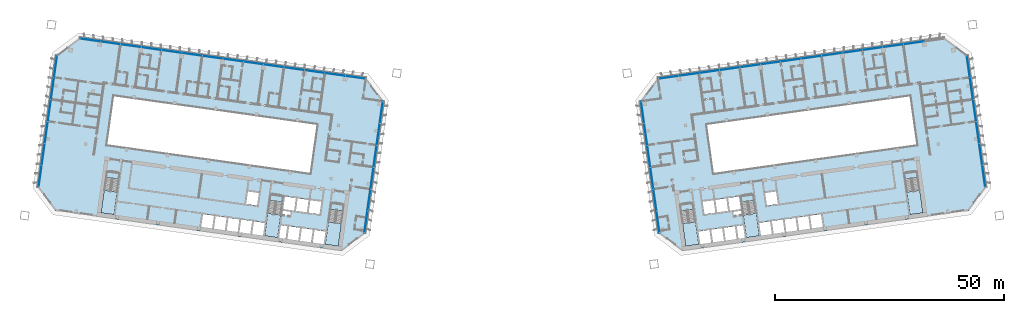
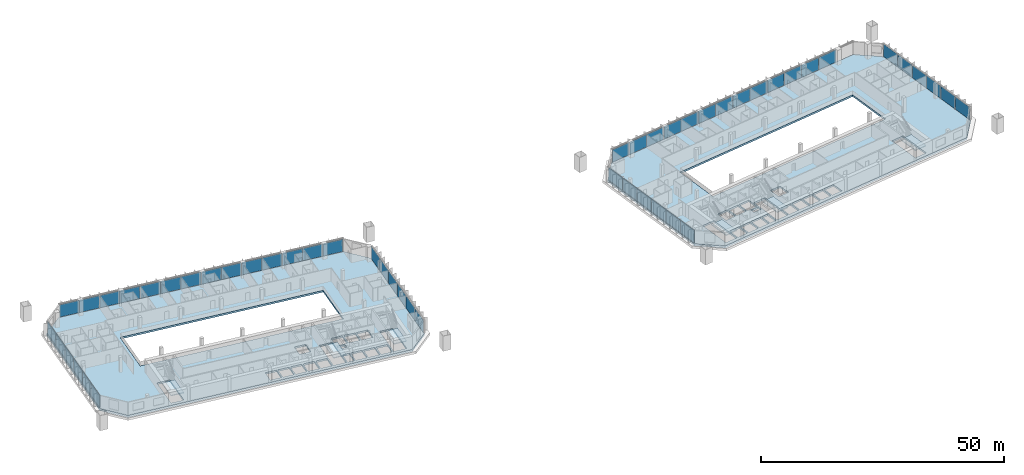
# One storey, part 12 of 25: 51 plates, 8 slabs, 12 elements without a shape of their own.
"""IFC4 building model written with IfcOpenShell, lengths in metres."""

from ifc_helpers import new_model, si_unit, direction, frame, origin, origin_2d, place, context, subcontext, project, spatial, polyline, rectangle, outline, extrude, material, layer, layer_set, type_object, element, aggregate, save


model = new_model("IFC4")

# Units and contexts
model_context = context("Model", 3, precision=1e-05, world=origin(), true_north=direction((0.0, 1.0)))
body_context = subcontext(model_context, "Body", "Model", "MODEL_VIEW")
ifc_project = project(units=[si_unit("LENGTHUNIT", "METRE"), si_unit("AREAUNIT", "SQUARE_METRE"), si_unit("VOLUMEUNIT", "CUBIC_METRE"), si_unit("PLANEANGLEUNIT", "RADIAN"), si_unit("MASSUNIT", "GRAM", prefix="KILO")], contexts=[model_context])

# Site, building, storey
site_placement = place(None, origin())
site = spatial("IfcSite", under=ifc_project, at=site_placement, CompositionType="ELEMENT")
building_placement = place(site_placement, origin())
building = spatial("IfcBuilding", under=site, at=building_placement, Name="Mirante Cascada Hotel Towers", CompositionType="ELEMENT")
storey_placement = place(building_placement, frame((0.0, 0.0, 62.3)))
storey = spatial("IfcBuildingStorey", under=building, at=storey_placement, Name="L12", CompositionType="ELEMENT", Elevation=62.3)

# Curtain wall, plates
ifc_material_1 = material(Name="Aluminium mullion and transom frame with clear laminated glass", Category="aluminium")
curtain_wall_type_1 = type_object("IfcCurtainWallType", Name="Ribbon curtain wall ECW1", PredefinedType="NOTDEFINED", material=ifc_material_1)
curtain_wall_1_placement = place(storey_placement, origin())
curtain_wall_1 = element("IfcCurtainWall", 1, at=curtain_wall_1_placement, inside=storey, type_object=curtain_wall_type_1, Name="Front ribbon wall T1 L12", PredefinedType="NOTDEFINED")
ifc_material_2 = material(Name="Clear laminated glass", Category="glass")
ifc_layer_1 = layer(ifc_material_2, 0.036)
ifc_layer_set_1 = layer_set([ifc_layer_1], Name="ECW1 glass panel 36")
plate_type_1 = type_object("IfcPlateType", Name="ECW1 glass panel 36", PredefinedType="CURTAIN_PANEL", material=ifc_layer_set_1)
plate_1_placement = place(storey_placement, frame((-91.9184, 25.7373, 0.1), z_axis=(0.0, 0.0, 1.0), x_axis=(0.9902681, -0.1391731, 0.0)))
plate_1 = element("IfcPlate", 2, at=plate_1_placement, type_object=plate_type_1, Name="ECW1 panel 1", PredefinedType="CURTAIN_PANEL", context=body_context, shape_type="SweptSolid", body=[
    extrude(rectangle(XDim=4.3936, YDim=0.036, at=origin_2d()), origin(), (0.0, 0.0, 1.0), 3.15),
])
plate_2_placement = place(storey_placement, frame((-87.487, 25.1145, 0.1), z_axis=(0.0, 0.0, 1.0), x_axis=(0.9902681, -0.1391731, 0.0)))
plate_2 = element("IfcPlate", 3, at=plate_2_placement, type_object=plate_type_1, Name="ECW1 panel 2", PredefinedType="CURTAIN_PANEL", context=body_context, shape_type="SweptSolid", body=[
    extrude(rectangle(XDim=4.4261, YDim=0.036, at=origin_2d()), origin(), (0.0, 0.0, 1.0), 3.15),
])
plate_3_placement = place(storey_placement, frame((-83.0396, 24.4895, 0.1), z_axis=(0.0, 0.0, 1.0), x_axis=(0.9902681, -0.1391731, 0.0)))
plate_3 = element("IfcPlate", 4, at=plate_3_placement, type_object=plate_type_1, Name="ECW1 panel 3", PredefinedType="CURTAIN_PANEL", context=body_context, shape_type="SweptSolid", body=[
    extrude(rectangle(XDim=4.4261, YDim=0.036, at=origin_2d()), origin(), (0.0, 0.0, 1.0), 3.15),
])
plate_4_placement = place(storey_placement, frame((-78.5922, 23.8644, 0.1), z_axis=(0.0, 0.0, 1.0), x_axis=(0.9902681, -0.1391731, 0.0)))
plate_4 = element("IfcPlate", 5, at=plate_4_placement, type_object=plate_type_1, Name="ECW1 panel 4", PredefinedType="CURTAIN_PANEL", context=body_context, shape_type="SweptSolid", body=[
    extrude(rectangle(XDim=4.4261, YDim=0.036, at=origin_2d()), origin(), (0.0, 0.0, 1.0), 3.15),
])
plate_5_placement = place(storey_placement, frame((-74.1448, 23.2394, 0.1), z_axis=(0.0, 0.0, 1.0), x_axis=(0.9902681, -0.1391731, 0.0)))
plate_5 = element("IfcPlate", 6, at=plate_5_placement, type_object=plate_type_1, Name="ECW1 panel 5", PredefinedType="CURTAIN_PANEL", context=body_context, shape_type="SweptSolid", body=[
    extrude(rectangle(XDim=4.4261, YDim=0.036, at=origin_2d()), origin(), (0.0, 0.0, 1.0), 3.15),
])
plate_6_placement = place(storey_placement, frame((-69.6974, 22.6144, 0.1), z_axis=(0.0, 0.0, 1.0), x_axis=(0.9902681, -0.1391731, 0.0)))
plate_6 = element("IfcPlate", 7, at=plate_6_placement, type_object=plate_type_1, Name="ECW1 panel 6", PredefinedType="CURTAIN_PANEL", context=body_context, shape_type="SweptSolid", body=[
    extrude(rectangle(XDim=4.4261, YDim=0.036, at=origin_2d()), origin(), (0.0, 0.0, 1.0), 3.15),
])
plate_7_placement = place(storey_placement, frame((-65.2499, 21.9893, 0.1), z_axis=(0.0, 0.0, 1.0), x_axis=(0.9902681, -0.1391731, 0.0)))
plate_7 = element("IfcPlate", 8, at=plate_7_placement, type_object=plate_type_1, Name="ECW1 panel 7", PredefinedType="CURTAIN_PANEL", context=body_context, shape_type="SweptSolid", body=[
    extrude(rectangle(XDim=4.4261, YDim=0.036, at=origin_2d()), origin(), (0.0, 0.0, 1.0), 3.15),
])
plate_8_placement = place(storey_placement, frame((-60.8025, 21.3643, 0.1), z_axis=(0.0, 0.0, 1.0), x_axis=(0.9902681, -0.1391731, 0.0)))
plate_8 = element("IfcPlate", 9, at=plate_8_placement, type_object=plate_type_1, Name="ECW1 panel 8", PredefinedType="CURTAIN_PANEL", context=body_context, shape_type="SweptSolid", body=[
    extrude(rectangle(XDim=4.4261, YDim=0.036, at=origin_2d()), origin(), (0.0, 0.0, 1.0), 3.15),
])
plate_9_placement = place(storey_placement, frame((-56.3551, 20.7392, 0.1), z_axis=(0.0, 0.0, 1.0), x_axis=(0.9902681, -0.1391731, 0.0)))
plate_9 = element("IfcPlate", 10, at=plate_9_placement, type_object=plate_type_1, Name="ECW1 panel 9", PredefinedType="CURTAIN_PANEL", context=body_context, shape_type="SweptSolid", body=[
    extrude(rectangle(XDim=4.4261, YDim=0.036, at=origin_2d()), origin(), (0.0, 0.0, 1.0), 3.15),
])
plate_10_placement = place(storey_placement, frame((-51.9077, 20.1142, 0.1), z_axis=(0.0, 0.0, 1.0), x_axis=(0.9902681, -0.1391731, 0.0)))
plate_10 = element("IfcPlate", 11, at=plate_10_placement, type_object=plate_type_1, Name="ECW1 panel 10", PredefinedType="CURTAIN_PANEL", context=body_context, shape_type="SweptSolid", body=[
    extrude(rectangle(XDim=4.4261, YDim=0.036, at=origin_2d()), origin(), (0.0, 0.0, 1.0), 3.15),
])
plate_11_placement = place(storey_placement, frame((-47.4603, 19.4891, 0.1), z_axis=(0.0, 0.0, 1.0), x_axis=(0.9902681, -0.1391731, 0.0)))
plate_11 = element("IfcPlate", 12, at=plate_11_placement, type_object=plate_type_1, Name="ECW1 panel 11", PredefinedType="CURTAIN_PANEL", context=body_context, shape_type="SweptSolid", body=[
    extrude(rectangle(XDim=4.4261, YDim=0.036, at=origin_2d()), origin(), (0.0, 0.0, 1.0), 3.15),
])
plate_12_placement = place(storey_placement, frame((-43.0129, 18.8641, 0.1), z_axis=(0.0, 0.0, 1.0), x_axis=(0.9902681, -0.1391731, 0.0)))
plate_12 = element("IfcPlate", 13, at=plate_12_placement, type_object=plate_type_1, Name="ECW1 panel 12", PredefinedType="CURTAIN_PANEL", context=body_context, shape_type="SweptSolid", body=[
    extrude(rectangle(XDim=4.4261, YDim=0.036, at=origin_2d()), origin(), (0.0, 0.0, 1.0), 3.15),
])
plate_13_placement = place(storey_placement, frame((-38.5654, 18.239, 0.1), z_axis=(0.0, 0.0, 1.0), x_axis=(0.9902681, -0.1391731, 0.0)))
plate_13 = element("IfcPlate", 14, at=plate_13_placement, type_object=plate_type_1, Name="ECW1 panel 13", PredefinedType="CURTAIN_PANEL", context=body_context, shape_type="SweptSolid", body=[
    extrude(rectangle(XDim=4.4261, YDim=0.036, at=origin_2d()), origin(), (0.0, 0.0, 1.0), 3.15),
])
plate_14_placement = place(storey_placement, frame((-34.1341, 17.6163, 0.1), z_axis=(0.0, 0.0, 1.0), x_axis=(0.9902681, -0.1391731, 0.0)))
plate_14 = element("IfcPlate", 15, at=plate_14_placement, type_object=plate_type_1, Name="ECW1 panel 14", PredefinedType="CURTAIN_PANEL", context=body_context, shape_type="SweptSolid", body=[
    extrude(rectangle(XDim=4.3936, YDim=0.036, at=origin_2d()), origin(), (0.0, 0.0, 1.0), 3.15),
])
aggregate(curtain_wall_1, [plate_1, plate_2, plate_3, plate_4, plate_5, plate_6, plate_7, plate_8, plate_9, plate_10, plate_11, plate_12, plate_13, plate_14])

curtain_wall_2_placement = place(storey_placement, origin())
curtain_wall_2 = element("IfcCurtainWall", 16, at=curtain_wall_2_placement, inside=storey, type_object=curtain_wall_type_1, Name="Front ribbon wall T2 L12", PredefinedType="NOTDEFINED")
plate_15_placement = place(storey_placement, frame((87.487, 25.1145, 0.1), z_axis=(0.0, 0.0, 1.0), x_axis=(-0.9902681, -0.1391731, 0.0)))
plate_15 = element("IfcPlate", 17, at=plate_15_placement, type_object=plate_type_1, Name="ECW1 panel 2", PredefinedType="CURTAIN_PANEL", context=body_context, shape_type="SweptSolid", body=[
    extrude(rectangle(XDim=4.4261, YDim=0.036, at=origin_2d()), origin(), (0.0, 0.0, 1.0), 3.15),
])
plate_16_placement = place(storey_placement, frame((83.0396, 24.4895, 0.1), z_axis=(0.0, 0.0, 1.0), x_axis=(-0.9902681, -0.1391731, 0.0)))
plate_16 = element("IfcPlate", 18, at=plate_16_placement, type_object=plate_type_1, Name="ECW1 panel 3", PredefinedType="CURTAIN_PANEL", context=body_context, shape_type="SweptSolid", body=[
    extrude(rectangle(XDim=4.4261, YDim=0.036, at=origin_2d()), origin(), (0.0, 0.0, 1.0), 3.15),
])
plate_17_placement = place(storey_placement, frame((78.5922, 23.8644, 0.1), z_axis=(0.0, 0.0, 1.0), x_axis=(-0.9902681, -0.1391731, 0.0)))
plate_17 = element("IfcPlate", 19, at=plate_17_placement, type_object=plate_type_1, Name="ECW1 panel 4", PredefinedType="CURTAIN_PANEL", context=body_context, shape_type="SweptSolid", body=[
    extrude(rectangle(XDim=4.4261, YDim=0.036, at=origin_2d()), origin(), (0.0, 0.0, 1.0), 3.15),
])
plate_18_placement = place(storey_placement, frame((74.1448, 23.2394, 0.1), z_axis=(0.0, 0.0, 1.0), x_axis=(-0.9902681, -0.1391731, 0.0)))
plate_18 = element("IfcPlate", 20, at=plate_18_placement, type_object=plate_type_1, Name="ECW1 panel 5", PredefinedType="CURTAIN_PANEL", context=body_context, shape_type="SweptSolid", body=[
    extrude(rectangle(XDim=4.4261, YDim=0.036, at=origin_2d()), origin(), (0.0, 0.0, 1.0), 3.15),
])
plate_19_placement = place(storey_placement, frame((69.6974, 22.6144, 0.1), z_axis=(0.0, 0.0, 1.0), x_axis=(-0.9902681, -0.1391731, 0.0)))
plate_19 = element("IfcPlate", 21, at=plate_19_placement, type_object=plate_type_1, Name="ECW1 panel 6", PredefinedType="CURTAIN_PANEL", context=body_context, shape_type="SweptSolid", body=[
    extrude(rectangle(XDim=4.4261, YDim=0.036, at=origin_2d()), origin(), (0.0, 0.0, 1.0), 3.15),
])
plate_20_placement = place(storey_placement, frame((65.2499, 21.9893, 0.1), z_axis=(0.0, 0.0, 1.0), x_axis=(-0.9902681, -0.1391731, 0.0)))
plate_20 = element("IfcPlate", 22, at=plate_20_placement, type_object=plate_type_1, Name="ECW1 panel 7", PredefinedType="CURTAIN_PANEL", context=body_context, shape_type="SweptSolid", body=[
    extrude(rectangle(XDim=4.4261, YDim=0.036, at=origin_2d()), origin(), (0.0, 0.0, 1.0), 3.15),
])
plate_21_placement = place(storey_placement, frame((60.8025, 21.3643, 0.1), z_axis=(0.0, 0.0, 1.0), x_axis=(-0.9902681, -0.1391731, 0.0)))
plate_21 = element("IfcPlate", 23, at=plate_21_placement, type_object=plate_type_1, Name="ECW1 panel 8", PredefinedType="CURTAIN_PANEL", context=body_context, shape_type="SweptSolid", body=[
    extrude(rectangle(XDim=4.4261, YDim=0.036, at=origin_2d()), origin(), (0.0, 0.0, 1.0), 3.15),
])
plate_22_placement = place(storey_placement, frame((56.3551, 20.7392, 0.1), z_axis=(0.0, 0.0, 1.0), x_axis=(-0.9902681, -0.1391731, 0.0)))
plate_22 = element("IfcPlate", 24, at=plate_22_placement, type_object=plate_type_1, Name="ECW1 panel 9", PredefinedType="CURTAIN_PANEL", context=body_context, shape_type="SweptSolid", body=[
    extrude(rectangle(XDim=4.4261, YDim=0.036, at=origin_2d()), origin(), (0.0, 0.0, 1.0), 3.15),
])
plate_23_placement = place(storey_placement, frame((51.9077, 20.1142, 0.1), z_axis=(0.0, 0.0, 1.0), x_axis=(-0.9902681, -0.1391731, 0.0)))
plate_23 = element("IfcPlate", 25, at=plate_23_placement, type_object=plate_type_1, Name="ECW1 panel 10", PredefinedType="CURTAIN_PANEL", context=body_context, shape_type="SweptSolid", body=[
    extrude(rectangle(XDim=4.4261, YDim=0.036, at=origin_2d()), origin(), (0.0, 0.0, 1.0), 3.15),
])
plate_24_placement = place(storey_placement, frame((47.4603, 19.4891, 0.1), z_axis=(0.0, 0.0, 1.0), x_axis=(-0.9902681, -0.1391731, 0.0)))
plate_24 = element("IfcPlate", 26, at=plate_24_placement, type_object=plate_type_1, Name="ECW1 panel 11", PredefinedType="CURTAIN_PANEL", context=body_context, shape_type="SweptSolid", body=[
    extrude(rectangle(XDim=4.4261, YDim=0.036, at=origin_2d()), origin(), (0.0, 0.0, 1.0), 3.15),
])
plate_25_placement = place(storey_placement, frame((43.0129, 18.8641, 0.1), z_axis=(0.0, 0.0, 1.0), x_axis=(-0.9902681, -0.1391731, 0.0)))
plate_25 = element("IfcPlate", 27, at=plate_25_placement, type_object=plate_type_1, Name="ECW1 panel 12", PredefinedType="CURTAIN_PANEL", context=body_context, shape_type="SweptSolid", body=[
    extrude(rectangle(XDim=4.4261, YDim=0.036, at=origin_2d()), origin(), (0.0, 0.0, 1.0), 3.15),
])
plate_26_placement = place(storey_placement, frame((38.5654, 18.239, 0.1), z_axis=(0.0, 0.0, 1.0), x_axis=(-0.9902681, -0.1391731, 0.0)))
plate_26 = element("IfcPlate", 28, at=plate_26_placement, type_object=plate_type_1, Name="ECW1 panel 13", PredefinedType="CURTAIN_PANEL", context=body_context, shape_type="SweptSolid", body=[
    extrude(rectangle(XDim=4.4261, YDim=0.036, at=origin_2d()), origin(), (0.0, 0.0, 1.0), 3.15),
])
plate_27_placement = place(storey_placement, frame((34.1341, 17.6163, 0.1), z_axis=(0.0, 0.0, 1.0), x_axis=(-0.9902681, -0.1391731, 0.0)))
plate_27 = element("IfcPlate", 29, at=plate_27_placement, type_object=plate_type_1, Name="ECW1 panel 14", PredefinedType="CURTAIN_PANEL", context=body_context, shape_type="SweptSolid", body=[
    extrude(rectangle(XDim=4.3936, YDim=0.036, at=origin_2d()), origin(), (0.0, 0.0, 1.0), 3.15),
])
aggregate(curtain_wall_2, [plate_15, plate_16, plate_17, plate_18, plate_19, plate_20, plate_21, plate_22, plate_23, plate_24, plate_25, plate_26, plate_27])

ifc_material_3 = material(Name="Aluminium mullion and transom frame with clear laminated glass", Category="aluminium")
curtain_wall_type_2 = type_object("IfcCurtainWallType", Name="End ribbon curtain wall ECW2", PredefinedType="NOTDEFINED", material=ifc_material_3)
curtain_wall_3_placement = place(storey_placement, origin())
curtain_wall_3 = element("IfcCurtainWall", 30, at=curtain_wall_3_placement, inside=storey, type_object=curtain_wall_type_2, Name="Inner end wall T1 L12", PredefinedType="NOTDEFINED")
ifc_material_4 = material(Name="Clear laminated glass", Category="glass")
ifc_layer_2 = layer(ifc_material_4, 0.034)
ifc_layer_set_2 = layer_set([ifc_layer_2], Name="ECW2 glass panel 34")
plate_type_2 = type_object("IfcPlateType", Name="ECW2 glass panel 34", PredefinedType="CURTAIN_PANEL", material=ifc_layer_set_2)
plate_28_placement = place(storey_placement, frame((-28.4763, 9.9193, 0.1), z_axis=(0.0, 0.0, 1.0), x_axis=(-0.1391731, -0.9902681, 0.0)))
plate_28 = element("IfcPlate", 31, at=plate_28_placement, type_object=plate_type_2, Name="ECW2 panel 1", PredefinedType="CURTAIN_PANEL", context=body_context, shape_type="SweptSolid", body=[
    extrude(rectangle(XDim=4.7151, YDim=0.034, at=origin_2d()), origin(), (0.0, 0.0, 1.0), 3.15),
])
plate_29_placement = place(storey_placement, frame((-29.1439, 5.1696, 0.1), z_axis=(0.0, 0.0, 1.0), x_axis=(-0.1391731, -0.9902681, 0.0)))
plate_29 = element("IfcPlate", 32, at=plate_29_placement, type_object=plate_type_2, Name="ECW2 panel 2", PredefinedType="CURTAIN_PANEL", context=body_context, shape_type="SweptSolid", body=[
    extrude(rectangle(XDim=4.7476, YDim=0.034, at=origin_2d()), origin(), (0.0, 0.0, 1.0), 3.15),
])
plate_30_placement = place(storey_placement, frame((-29.8136, 0.4038, 0.1), z_axis=(0.0, 0.0, 1.0), x_axis=(-0.1391731, -0.9902681, 0.0)))
plate_30 = element("IfcPlate", 33, at=plate_30_placement, type_object=plate_type_2, Name="ECW2 panel 3", PredefinedType="CURTAIN_PANEL", context=body_context, shape_type="SweptSolid", body=[
    extrude(rectangle(XDim=4.7476, YDim=0.034, at=origin_2d()), origin(), (0.0, 0.0, 1.0), 3.15),
])
plate_31_placement = place(storey_placement, frame((-30.4834, -4.362, 0.1), z_axis=(0.0, 0.0, 1.0), x_axis=(-0.1391731, -0.9902681, 0.0)))
plate_31 = element("IfcPlate", 34, at=plate_31_placement, type_object=plate_type_2, Name="ECW2 panel 4", PredefinedType="CURTAIN_PANEL", context=body_context, shape_type="SweptSolid", body=[
    extrude(rectangle(XDim=4.7476, YDim=0.034, at=origin_2d()), origin(), (0.0, 0.0, 1.0), 3.15),
])
plate_32_placement = place(storey_placement, frame((-31.1532, -9.1278, 0.1), z_axis=(0.0, 0.0, 1.0), x_axis=(-0.1391731, -0.9902681, 0.0)))
plate_32 = element("IfcPlate", 35, at=plate_32_placement, type_object=plate_type_2, Name="ECW2 panel 5", PredefinedType="CURTAIN_PANEL", context=body_context, shape_type="SweptSolid", body=[
    extrude(rectangle(XDim=4.7476, YDim=0.034, at=origin_2d()), origin(), (0.0, 0.0, 1.0), 3.15),
])
plate_33_placement = place(storey_placement, frame((-31.8207, -13.8775, 0.1), z_axis=(0.0, 0.0, 1.0), x_axis=(-0.1391731, -0.9902681, 0.0)))
plate_33 = element("IfcPlate", 36, at=plate_33_placement, type_object=plate_type_2, Name="ECW2 panel 6", PredefinedType="CURTAIN_PANEL", context=body_context, shape_type="SweptSolid", body=[
    extrude(rectangle(XDim=4.7151, YDim=0.034, at=origin_2d()), origin(), (0.0, 0.0, 1.0), 3.15),
])
aggregate(curtain_wall_3, [plate_28, plate_29, plate_30, plate_31, plate_32, plate_33])

curtain_wall_4_placement = place(storey_placement, origin())
curtain_wall_4 = element("IfcCurtainWall", 37, at=curtain_wall_4_placement, inside=storey, type_object=curtain_wall_type_2, Name="Outer end wall T1 L12", PredefinedType="NOTDEFINED")
plate_34_placement = place(storey_placement, frame((-102.823, -3.8988, 0.1), z_axis=(0.0, 0.0, 1.0), x_axis=(0.1391731, 0.9902681, 0.0)))
plate_34 = element("IfcPlate", 38, at=plate_34_placement, type_object=plate_type_2, Name="ECW2 panel 1", PredefinedType="CURTAIN_PANEL", context=body_context, shape_type="SweptSolid", body=[
    extrude(rectangle(XDim=4.7151, YDim=0.034, at=origin_2d()), origin(), (0.0, 0.0, 1.0), 3.15),
])
plate_35_placement = place(storey_placement, frame((-102.1554, 0.8509, 0.1), z_axis=(0.0, 0.0, 1.0), x_axis=(0.1391731, 0.9902681, 0.0)))
plate_35 = element("IfcPlate", 39, at=plate_35_placement, type_object=plate_type_2, Name="ECW2 panel 2", PredefinedType="CURTAIN_PANEL", context=body_context, shape_type="SweptSolid", body=[
    extrude(rectangle(XDim=4.7476, YDim=0.034, at=origin_2d()), origin(), (0.0, 0.0, 1.0), 3.15),
])
plate_36_placement = place(storey_placement, frame((-101.4857, 5.6167, 0.1), z_axis=(0.0, 0.0, 1.0), x_axis=(0.1391731, 0.9902681, 0.0)))
plate_36 = element("IfcPlate", 40, at=plate_36_placement, type_object=plate_type_2, Name="ECW2 panel 3", PredefinedType="CURTAIN_PANEL", context=body_context, shape_type="SweptSolid", body=[
    extrude(rectangle(XDim=4.7476, YDim=0.034, at=origin_2d()), origin(), (0.0, 0.0, 1.0), 3.15),
])
plate_37_placement = place(storey_placement, frame((-100.8159, 10.3825, 0.1), z_axis=(0.0, 0.0, 1.0), x_axis=(0.1391731, 0.9902681, 0.0)))
plate_37 = element("IfcPlate", 41, at=plate_37_placement, type_object=plate_type_2, Name="ECW2 panel 4", PredefinedType="CURTAIN_PANEL", context=body_context, shape_type="SweptSolid", body=[
    extrude(rectangle(XDim=4.7476, YDim=0.034, at=origin_2d()), origin(), (0.0, 0.0, 1.0), 3.15),
])
plate_38_placement = place(storey_placement, frame((-100.1461, 15.1483, 0.1), z_axis=(0.0, 0.0, 1.0), x_axis=(0.1391731, 0.9902681, 0.0)))
plate_38 = element("IfcPlate", 42, at=plate_38_placement, type_object=plate_type_2, Name="ECW2 panel 5", PredefinedType="CURTAIN_PANEL", context=body_context, shape_type="SweptSolid", body=[
    extrude(rectangle(XDim=4.7476, YDim=0.034, at=origin_2d()), origin(), (0.0, 0.0, 1.0), 3.15),
])
plate_39_placement = place(storey_placement, frame((-99.4786, 19.898, 0.1), z_axis=(0.0, 0.0, 1.0), x_axis=(0.1391731, 0.9902681, 0.0)))
plate_39 = element("IfcPlate", 43, at=plate_39_placement, type_object=plate_type_2, Name="ECW2 panel 6", PredefinedType="CURTAIN_PANEL", context=body_context, shape_type="SweptSolid", body=[
    extrude(rectangle(XDim=4.7151, YDim=0.034, at=origin_2d()), origin(), (0.0, 0.0, 1.0), 3.15),
])
aggregate(curtain_wall_4, [plate_34, plate_35, plate_36, plate_37, plate_38, plate_39])

curtain_wall_5_placement = place(storey_placement, origin())
curtain_wall_5 = element("IfcCurtainWall", 44, at=curtain_wall_5_placement, inside=storey, type_object=curtain_wall_type_2, Name="Inner end wall T2 L12", PredefinedType="NOTDEFINED")
plate_40_placement = place(storey_placement, frame((28.4763, 9.9193, 0.1), z_axis=(0.0, 0.0, 1.0), x_axis=(0.1391731, -0.9902681, 0.0)))
plate_40 = element("IfcPlate", 45, at=plate_40_placement, type_object=plate_type_2, Name="ECW2 panel 1", PredefinedType="CURTAIN_PANEL", context=body_context, shape_type="SweptSolid", body=[
    extrude(rectangle(XDim=4.7151, YDim=0.034, at=origin_2d()), origin(), (0.0, 0.0, 1.0), 3.15),
])
plate_41_placement = place(storey_placement, frame((29.1439, 5.1696, 0.1), z_axis=(0.0, 0.0, 1.0), x_axis=(0.1391731, -0.9902681, 0.0)))
plate_41 = element("IfcPlate", 46, at=plate_41_placement, type_object=plate_type_2, Name="ECW2 panel 2", PredefinedType="CURTAIN_PANEL", context=body_context, shape_type="SweptSolid", body=[
    extrude(rectangle(XDim=4.7476, YDim=0.034, at=origin_2d()), origin(), (0.0, 0.0, 1.0), 3.15),
])
plate_42_placement = place(storey_placement, frame((29.8136, 0.4038, 0.1), z_axis=(0.0, 0.0, 1.0), x_axis=(0.1391731, -0.9902681, 0.0)))
plate_42 = element("IfcPlate", 47, at=plate_42_placement, type_object=plate_type_2, Name="ECW2 panel 3", PredefinedType="CURTAIN_PANEL", context=body_context, shape_type="SweptSolid", body=[
    extrude(rectangle(XDim=4.7476, YDim=0.034, at=origin_2d()), origin(), (0.0, 0.0, 1.0), 3.15),
])
plate_43_placement = place(storey_placement, frame((30.4834, -4.362, 0.1), z_axis=(0.0, 0.0, 1.0), x_axis=(0.1391731, -0.9902681, 0.0)))
plate_43 = element("IfcPlate", 48, at=plate_43_placement, type_object=plate_type_2, Name="ECW2 panel 4", PredefinedType="CURTAIN_PANEL", context=body_context, shape_type="SweptSolid", body=[
    extrude(rectangle(XDim=4.7476, YDim=0.034, at=origin_2d()), origin(), (0.0, 0.0, 1.0), 3.15),
])
plate_44_placement = place(storey_placement, frame((31.1532, -9.1278, 0.1), z_axis=(0.0, 0.0, 1.0), x_axis=(0.1391731, -0.9902681, 0.0)))
plate_44 = element("IfcPlate", 49, at=plate_44_placement, type_object=plate_type_2, Name="ECW2 panel 5", PredefinedType="CURTAIN_PANEL", context=body_context, shape_type="SweptSolid", body=[
    extrude(rectangle(XDim=4.7476, YDim=0.034, at=origin_2d()), origin(), (0.0, 0.0, 1.0), 3.15),
])
plate_45_placement = place(storey_placement, frame((31.8207, -13.8775, 0.1), z_axis=(0.0, 0.0, 1.0), x_axis=(0.1391731, -0.9902681, 0.0)))
plate_45 = element("IfcPlate", 50, at=plate_45_placement, type_object=plate_type_2, Name="ECW2 panel 6", PredefinedType="CURTAIN_PANEL", context=body_context, shape_type="SweptSolid", body=[
    extrude(rectangle(XDim=4.7151, YDim=0.034, at=origin_2d()), origin(), (0.0, 0.0, 1.0), 3.15),
])
aggregate(curtain_wall_5, [plate_40, plate_41, plate_42, plate_43, plate_44, plate_45])

curtain_wall_6_placement = place(storey_placement, origin())
curtain_wall_6 = element("IfcCurtainWall", 51, at=curtain_wall_6_placement, inside=storey, type_object=curtain_wall_type_2, Name="Outer end wall T2 L12", PredefinedType="NOTDEFINED")
plate_46_placement = place(storey_placement, frame((102.823, -3.8988, 0.1), z_axis=(0.0, 0.0, 1.0), x_axis=(-0.1391731, 0.9902681, 0.0)))
plate_46 = element("IfcPlate", 52, at=plate_46_placement, type_object=plate_type_2, Name="ECW2 panel 1", PredefinedType="CURTAIN_PANEL", context=body_context, shape_type="SweptSolid", body=[
    extrude(rectangle(XDim=4.7151, YDim=0.034, at=origin_2d()), origin(), (0.0, 0.0, 1.0), 3.15),
])
plate_47_placement = place(storey_placement, frame((102.1554, 0.8509, 0.1), z_axis=(0.0, 0.0, 1.0), x_axis=(-0.1391731, 0.9902681, 0.0)))
plate_47 = element("IfcPlate", 53, at=plate_47_placement, type_object=plate_type_2, Name="ECW2 panel 2", PredefinedType="CURTAIN_PANEL", context=body_context, shape_type="SweptSolid", body=[
    extrude(rectangle(XDim=4.7476, YDim=0.034, at=origin_2d()), origin(), (0.0, 0.0, 1.0), 3.15),
])
plate_48_placement = place(storey_placement, frame((101.4857, 5.6167, 0.1), z_axis=(0.0, 0.0, 1.0), x_axis=(-0.1391731, 0.9902681, 0.0)))
plate_48 = element("IfcPlate", 54, at=plate_48_placement, type_object=plate_type_2, Name="ECW2 panel 3", PredefinedType="CURTAIN_PANEL", context=body_context, shape_type="SweptSolid", body=[
    extrude(rectangle(XDim=4.7476, YDim=0.034, at=origin_2d()), origin(), (0.0, 0.0, 1.0), 3.15),
])
plate_49_placement = place(storey_placement, frame((100.8159, 10.3825, 0.1), z_axis=(0.0, 0.0, 1.0), x_axis=(-0.1391731, 0.9902681, 0.0)))
plate_49 = element("IfcPlate", 55, at=plate_49_placement, type_object=plate_type_2, Name="ECW2 panel 4", PredefinedType="CURTAIN_PANEL", context=body_context, shape_type="SweptSolid", body=[
    extrude(rectangle(XDim=4.7476, YDim=0.034, at=origin_2d()), origin(), (0.0, 0.0, 1.0), 3.15),
])
plate_50_placement = place(storey_placement, frame((100.1461, 15.1483, 0.1), z_axis=(0.0, 0.0, 1.0), x_axis=(-0.1391731, 0.9902681, 0.0)))
plate_50 = element("IfcPlate", 56, at=plate_50_placement, type_object=plate_type_2, Name="ECW2 panel 5", PredefinedType="CURTAIN_PANEL", context=body_context, shape_type="SweptSolid", body=[
    extrude(rectangle(XDim=4.7476, YDim=0.034, at=origin_2d()), origin(), (0.0, 0.0, 1.0), 3.15),
])
plate_51_placement = place(storey_placement, frame((99.4786, 19.898, 0.1), z_axis=(0.0, 0.0, 1.0), x_axis=(-0.1391731, 0.9902681, 0.0)))
plate_51 = element("IfcPlate", 57, at=plate_51_placement, type_object=plate_type_2, Name="ECW2 panel 6", PredefinedType="CURTAIN_PANEL", context=body_context, shape_type="SweptSolid", body=[
    extrude(rectangle(XDim=4.7151, YDim=0.034, at=origin_2d()), origin(), (0.0, 0.0, 1.0), 3.15),
])
aggregate(curtain_wall_6, [plate_46, plate_47, plate_48, plate_49, plate_50, plate_51])

# Stair, slab
ifc_material_5 = material(Name="Concrete C35/45", Category="concrete")
stair_type = type_object("IfcStairType", Name="Exit stair half-turn 1350 concrete C35/45", PredefinedType="HALF_TURN_STAIR", material=ifc_material_5)
stair_1_placement = place(storey_placement, origin())
stair_1 = element("IfcStair", 58, at=stair_1_placement, inside=storey, type_object=stair_type, Name="L12 Exit stair A", PredefinedType="HALF_TURN_STAIR")
ifc_material_6 = material(Name="Concrete C35/45", Category="concrete")
ifc_layer_3 = layer(ifc_material_6, 0.2)
ifc_layer_set_3 = layer_set([ifc_layer_3], Name="Exit stair landing 200 concrete C35/45")
slab_type_1 = type_object("IfcSlabType", Name="Exit stair landing 200 concrete C35/45", PredefinedType="LANDING", material=ifc_layer_set_3)
slab_1_placement = place(storey_placement, frame((0.0, 0.0, 1.7)))
slab_1 = element("IfcSlab", 59, at=slab_1_placement, type_object=slab_type_1, Name="ST1-A landing 1", PredefinedType="LANDING", context=body_context, shape_type="SweptSolid", body=[
    extrude(outline(polyline([(-39.9987, -13.8659), (-40.6887, -18.7757), (-37.8665, -19.1723), (-37.1765, -14.2626), (-39.9987, -13.8659)])), origin(), (0.0, 0.0, 1.0), 0.2),
])
aggregate(stair_1, [slab_1])

stair_2_placement = place(storey_placement, origin())
stair_2 = element("IfcStair", 60, at=stair_2_placement, inside=storey, type_object=stair_type, Name="L12 Exit stair B", PredefinedType="HALF_TURN_STAIR")
slab_2_placement = place(storey_placement, frame((0.0, 0.0, 1.7)))
slab_2 = element("IfcSlab", 61, at=slab_2_placement, type_object=slab_type_1, Name="ST1-B landing 1", PredefinedType="LANDING", context=body_context, shape_type="SweptSolid", body=[
    extrude(outline(polyline([(-53.2188, -12.008), (-53.9088, -16.9177), (-51.0866, -17.3144), (-50.3965, -12.4046), (-53.2188, -12.008)])), origin(), (0.0, 0.0, 1.0), 0.2),
])
aggregate(stair_2, [slab_2])

stair_3_placement = place(storey_placement, origin())
stair_3 = element("IfcStair", 62, at=stair_3_placement, inside=storey, type_object=stair_type, Name="L12 Exit stair C", PredefinedType="HALF_TURN_STAIR")
slab_3_placement = place(storey_placement, frame((0.0, 0.0, 1.7)))
slab_3 = element("IfcSlab", 63, at=slab_3_placement, type_object=slab_type_1, Name="ST1-C landing 1", PredefinedType="LANDING", context=body_context, shape_type="SweptSolid", body=[
    extrude(outline(polyline([(-88.8685, -6.9977), (-89.5585, -11.9075), (-86.7362, -12.3041), (-86.0462, -7.3944), (-88.8685, -6.9977)])), origin(), (0.0, 0.0, 1.0), 0.2),
])
aggregate(stair_3, [slab_3])

stair_4_placement = place(storey_placement, origin())
stair_4 = element("IfcStair", 64, at=stair_4_placement, inside=storey, type_object=stair_type, Name="L12 Exit stair A", PredefinedType="HALF_TURN_STAIR")
slab_4_placement = place(storey_placement, frame((0.0, 0.0, 1.7)))
slab_4 = element("IfcSlab", 65, at=slab_4_placement, type_object=slab_type_1, Name="ST2-A landing 1", PredefinedType="LANDING", context=body_context, shape_type="SweptSolid", body=[
    extrude(outline(polyline([(37.1765, -14.2626), (37.8665, -19.1723), (40.6887, -18.7757), (39.9987, -13.8659), (37.1765, -14.2626)])), origin(), (0.0, 0.0, 1.0), 0.2),
])
aggregate(stair_4, [slab_4])

stair_5_placement = place(storey_placement, origin())
stair_5 = element("IfcStair", 66, at=stair_5_placement, inside=storey, type_object=stair_type, Name="L12 Exit stair B", PredefinedType="HALF_TURN_STAIR")
slab_5_placement = place(storey_placement, frame((0.0, 0.0, 1.7)))
slab_5 = element("IfcSlab", 67, at=slab_5_placement, type_object=slab_type_1, Name="ST2-B landing 1", PredefinedType="LANDING", context=body_context, shape_type="SweptSolid", body=[
    extrude(outline(polyline([(50.3965, -12.4046), (51.0866, -17.3144), (53.9088, -16.9177), (53.2188, -12.008), (50.3965, -12.4046)])), origin(), (0.0, 0.0, 1.0), 0.2),
])
aggregate(stair_5, [slab_5])

stair_6_placement = place(storey_placement, origin())
stair_6 = element("IfcStair", 68, at=stair_6_placement, inside=storey, type_object=stair_type, Name="L12 Exit stair C", PredefinedType="HALF_TURN_STAIR")
slab_6_placement = place(storey_placement, frame((0.0, 0.0, 1.7)))
slab_6 = element("IfcSlab", 69, at=slab_6_placement, type_object=slab_type_1, Name="ST2-C landing 1", PredefinedType="LANDING", context=body_context, shape_type="SweptSolid", body=[
    extrude(outline(polyline([(86.0462, -7.3944), (86.7362, -12.3041), (89.5585, -11.9075), (88.8685, -6.9977), (86.0462, -7.3944)])), origin(), (0.0, 0.0, 1.0), 0.2),
])
aggregate(stair_6, [slab_6])

# Slabs
ifc_material_7 = material(Name="Concrete C40/50", Category="concrete")
ifc_layer_4 = layer(ifc_material_7, 0.45)
ifc_layer_set_4 = layer_set([ifc_layer_4], Name="Post-tensioned flat plate 450 Concrete C40/50")
slab_type_2 = type_object("IfcSlabType", Name="Post-tensioned flat plate 450 Concrete C40/50", PredefinedType="FLOOR", material=ifc_layer_set_4)
slab_7_placement = place(storey_placement, frame((0.0, 0.0, -0.45)))
element("IfcSlab", 70, at=slab_7_placement, inside=storey, type_object=slab_type_2, Name="Floor T1 L12", PredefinedType="FLOOR", context=body_context, shape_type="SweptSolid", body=[
    extrude(outline(polyline([(-32.018, -16.3589), (-27.982, 12.3589), (-31.8119, 17.4414), (-94.1988, 26.2093), (-99.2813, 22.3794), (-103.3173, -6.3384), (-99.4874, -11.4209), (-37.1005, -20.1888), (-32.018, -16.3589)]), holes=[polyline([(-43.0718, -15.6132), (-40.5961, -15.9612), (-40.9858, -18.7339), (-43.4615, -18.386), (-43.0718, -15.6132)]), polyline([(-45.8446, -15.2236), (-43.3689, -15.5715), (-43.7586, -18.3442), (-46.2342, -17.9963), (-45.8446, -15.2236)]), polyline([(-48.6173, -14.8339), (-46.1416, -15.1818), (-46.5313, -17.9546), (-49.007, -17.6066), (-48.6173, -14.8339)]), polyline([(-50.3998, -14.5834), (-48.9144, -14.7921), (-49.3041, -17.5649), (-50.7895, -17.3561), (-50.3998, -14.5834)]), polyline([(-36.7887, -11.5037), (-37.8665, -19.1723), (-40.6887, -18.7757), (-39.611, -11.107), (-36.7887, -11.5037)]), polyline([(-49.9544, -11.4145), (-48.1472, -11.6685), (-48.2829, -12.634), (-50.0901, -12.38), (-49.9544, -11.4145)]), polyline([(-43.9775, -9.124), (-41.5018, -9.472), (-41.8915, -12.2447), (-44.3672, -11.8968), (-43.9775, -9.124)]), polyline([(-47.1399, -11.5071), (-46.7503, -8.7344), (-44.2746, -9.0823), (-44.6643, -11.855), (-47.1399, -11.5071)]), polyline([(-49.9127, -11.1174), (-49.523, -8.3447), (-47.0473, -8.6926), (-47.437, -11.4654), (-49.9127, -11.1174)]), polyline([(-56.2919, -13.7553), (-53.8162, -14.1032), (-54.2059, -16.876), (-56.6816, -16.528), (-56.2919, -13.7553)]), polyline([(-59.0646, -13.3656), (-56.589, -13.7135), (-56.9787, -16.4863), (-59.4543, -16.1383), (-59.0646, -13.3656)]), polyline([(-61.8374, -12.9759), (-59.3617, -13.3238), (-59.7514, -16.0966), (-62.2271, -15.7487), (-61.8374, -12.9759)]), polyline([(-64.6101, -12.5862), (-62.1345, -12.9342), (-62.5242, -15.7069), (-64.9998, -15.359), (-64.6101, -12.5862)]), polyline([(-67.3829, -12.1965), (-64.9072, -12.5445), (-65.2969, -15.3172), (-67.7726, -14.9693), (-67.3829, -12.1965)]), polyline([(-50.0088, -9.6457), (-51.0866, -17.3144), (-53.9088, -16.9177), (-52.8311, -9.2491), (-50.0088, -9.6457)]), polyline([(-85.6585, -4.6355), (-86.7362, -12.3041), (-89.5585, -11.9075), (-88.4807, -4.2388), (-85.6585, -4.6355)]), polyline([(-57.9834, -9.9832), (-57.5937, -7.2104), (-55.118, -7.5583), (-55.5077, -10.3311), (-57.9834, -9.9832)]), polyline([(-88.4039, 2.7747), (-86.873, 13.6677), (-42.3109, 7.4049), (-43.8418, -3.4881), (-88.4039, 2.7747)])]), origin(), (0.0, 0.0, 1.0), 0.45),
])
slab_8_placement = place(storey_placement, frame((0.0, 0.0, -0.45)))
element("IfcSlab", 71, at=slab_8_placement, inside=storey, type_object=slab_type_2, Name="Floor T2 L12", PredefinedType="FLOOR", context=body_context, shape_type="SweptSolid", body=[
    extrude(outline(polyline([(32.018, -16.3589), (27.982, 12.3589), (31.8119, 17.4414), (94.1988, 26.2093), (99.2813, 22.3794), (103.3173, -6.3384), (99.4874, -11.4209), (37.1005, -20.1888), (32.018, -16.3589)]), holes=[polyline([(43.0718, -15.6132), (40.5961, -15.9612), (40.9858, -18.7339), (43.4615, -18.386), (43.0718, -15.6132)]), polyline([(45.8446, -15.2236), (43.3689, -15.5715), (43.7586, -18.3442), (46.2342, -17.9963), (45.8446, -15.2236)]), polyline([(48.6173, -14.8339), (46.1416, -15.1818), (46.5313, -17.9546), (49.007, -17.6066), (48.6173, -14.8339)]), polyline([(50.3998, -14.5834), (48.9144, -14.7921), (49.3041, -17.5649), (50.7895, -17.3561), (50.3998, -14.5834)]), polyline([(37.8665, -19.1723), (40.6887, -18.7757), (39.611, -11.107), (36.7887, -11.5037), (37.8665, -19.1723)]), polyline([(49.9544, -11.4145), (48.1472, -11.6685), (48.2829, -12.634), (50.0901, -12.38), (49.9544, -11.4145)]), polyline([(43.9775, -9.124), (41.5018, -9.472), (41.8915, -12.2447), (44.3672, -11.8968), (43.9775, -9.124)]), polyline([(47.1399, -11.5071), (46.7503, -8.7344), (44.2746, -9.0823), (44.6643, -11.855), (47.1399, -11.5071)]), polyline([(49.9127, -11.1174), (49.523, -8.3447), (47.0473, -8.6926), (47.437, -11.4654), (49.9127, -11.1174)]), polyline([(56.2919, -13.7553), (53.8162, -14.1032), (54.2059, -16.876), (56.6816, -16.528), (56.2919, -13.7553)]), polyline([(59.0646, -13.3656), (56.589, -13.7135), (56.9787, -16.4863), (59.4543, -16.1383), (59.0646, -13.3656)]), polyline([(61.8374, -12.9759), (59.3617, -13.3238), (59.7514, -16.0966), (62.2271, -15.7487), (61.8374, -12.9759)]), polyline([(64.6101, -12.5862), (62.1345, -12.9342), (62.5242, -15.7069), (64.9998, -15.359), (64.6101, -12.5862)]), polyline([(67.3829, -12.1965), (64.9072, -12.5445), (65.2969, -15.3172), (67.7726, -14.9693), (67.3829, -12.1965)]), polyline([(51.0866, -17.3144), (53.9088, -16.9177), (52.8311, -9.2491), (50.0088, -9.6457), (51.0866, -17.3144)]), polyline([(86.7362, -12.3041), (89.5585, -11.9075), (88.4807, -4.2388), (85.6585, -4.6355), (86.7362, -12.3041)]), polyline([(57.9834, -9.9832), (57.5937, -7.2104), (55.118, -7.5583), (55.5077, -10.3311), (57.9834, -9.9832)]), polyline([(88.4039, 2.7747), (86.873, 13.6677), (42.3109, 7.4049), (43.8418, -3.4881), (88.4039, 2.7747)])]), origin(), (0.0, 0.0, 1.0), 0.45),
])

save(model, "model.ifc")
